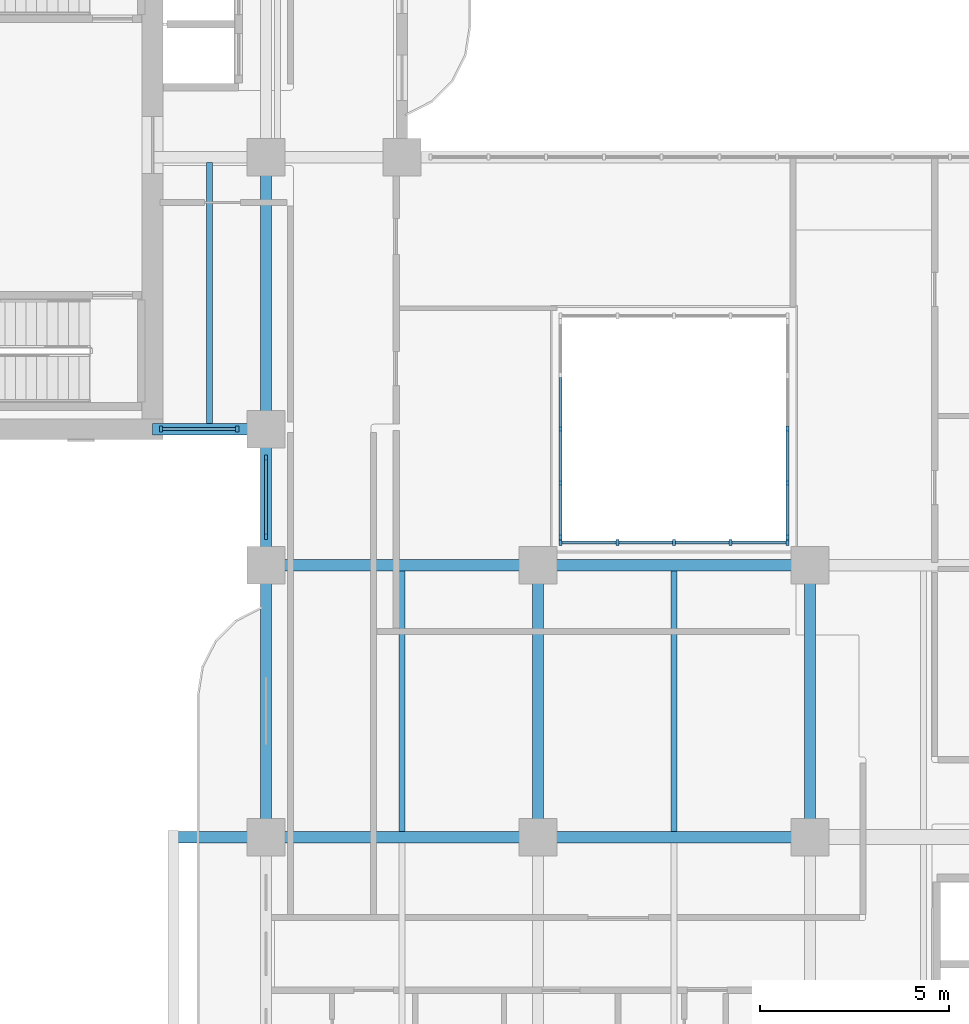
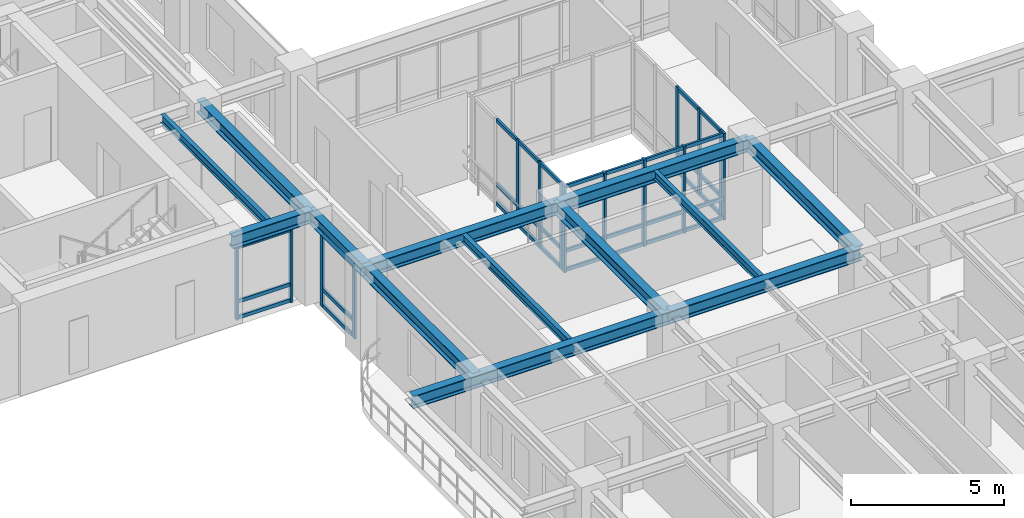
# One storey, part 2 of 20: 48 members, 13 beams, 5 elements without a shape of their own.
"""IFC4 building model written with IfcOpenShell, lengths in metres."""

from ifc_helpers import new_model, si_unit, derived_unit, direction, frame, origin, origin_2d, place, context, subcontext, project, spatial, rectangle, i_section, extrude, source, transform, mapped, material, layer, layer_set, material_profile, profile_set, type_object, type_shapes, element, aggregate, save


model = new_model("IFC4")

# Units and contexts
model_context = context("Model", 3, precision=1e-05, world=origin(), true_north=direction((0.0, 1.0)))
body_context = subcontext(model_context, "Body", "Model", "MODEL_VIEW")
ifc_project = project(units=[si_unit("LENGTHUNIT", "METRE"), si_unit("AREAUNIT", "SQUARE_METRE"), si_unit("VOLUMEUNIT", "CUBIC_METRE"), si_unit("PLANEANGLEUNIT", "RADIAN"), si_unit("MASSUNIT", "GRAM", prefix="KILO"), si_unit("THERMODYNAMICTEMPERATUREUNIT", "KELVIN"), si_unit("POWERUNIT", "WATT"), derived_unit("THERMALTRANSMITTANCEUNIT", [(si_unit("POWERUNIT", "WATT"), 1), (si_unit("AREAUNIT", "SQUARE_METRE"), -1), (si_unit("THERMODYNAMICTEMPERATUREUNIT", "KELVIN"), -1)])], contexts=[model_context])

# Site, building, storey
site_placement = place(None, origin())
site = spatial("IfcSite", under=ifc_project, at=site_placement, CompositionType="ELEMENT")
building_placement = place(site_placement, origin())
building = spatial("IfcBuilding", under=site, at=building_placement, Name="Zahravan Archway Hotel and Residences", CompositionType="ELEMENT")
storey_placement = place(building_placement, frame((0.0, 0.0, 119.199951171875)))
storey = spatial("IfcBuildingStorey", under=building, at=storey_placement, Name="L29", CompositionType="ELEMENT", Elevation=119.199951171875)

# Beams
ifc_material_1 = material(Name="Structural Steel S355JR", Category="steel")
ifc_material_profile_1 = material_profile(ifc_material_1, i_section(OverallWidth=0.300048828125, OverallDepth=0.5, WebThickness=0.014404296875, FlangeThickness=0.028076171875, FilletRadius=0.027099609375, at=origin_2d()), Name="HEB 500", Category="steel")
ifc_profile_set_1 = profile_set([ifc_material_profile_1], Name="Structural Steel S355JR")
beam_type_1 = type_object("IfcBeamType", Name="BM-PRI-HEB500", PredefinedType="BEAM", material=ifc_profile_set_1)
shared_shape_1 = source(origin(), body_context, "Body", "SweptSolid", [
    extrude(i_section(OverallWidth=0.300048828125, OverallDepth=0.5, WebThickness=0.014404296875, FlangeThickness=0.028076171875, FilletRadius=0.027099609375, at=origin_2d()), origin(), (0.0, 0.0, 1.0), 7.2001953125),
])
type_shapes(beam_type_1, [shared_shape_1])
for number, where, z_axis, x_axis, name in (
    (1, (14.39990234375, 21.60009765625, 3.199951171875), (1.0, 0.0, 0.0), (0.0, 1.0, 0.0), "L29 Primary Girder EW-11"),
    (2, (14.39990234375, 14.39990234375, 3.199951171875), (0.0, 1.0, 0.0), (-1.0, 0.0, 0.0), "L29 Primary Girder NS-30"),
    (3, (21.60009765625, 14.39990234375, 3.199951171875), (0.0, 1.0, 0.0), (-1.0, 0.0, 0.0), "L29 Primary Girder NS-37"),
    (4, (28.800048828125, 14.39990234375, 3.199951171875), (0.0, 1.0, 0.0), (-1.0, 0.0, 0.0), "L29 Primary Girder NS-40"),
):
    element("IfcBeam", number, at=place(storey_placement, frame(where, z_axis=z_axis, x_axis=x_axis)), inside=storey, type_object=beam_type_1, Name=name, PredefinedType="BEAM", context=body_context, shape_type="MappedRepresentation", body=[
        mapped(shared_shape_1, transform((0.0, 0.0, 0.0), scale=1.0)),
    ])
shared_shape_2 = source(origin(), body_context, "Body", "SweptSolid", [
    extrude(i_section(OverallWidth=0.300048828125, OverallDepth=0.5, WebThickness=0.014404296875, FlangeThickness=0.028076171875, FilletRadius=0.027099609375, at=origin_2d()), origin(), (0.0, 0.0, 1.0), 7.199951171875),
])
for number, where, z_axis, x_axis, name in (
    (5, (21.60009765625, 14.39990234375, 3.199951171875), (1.0, 0.0, 0.0), (0.0, 1.0, 0.0), "L29 Primary Girder EW-10"),
    (6, (21.60009765625, 21.60009765625, 3.199951171875), (1.0, 0.0, 0.0), (0.0, 1.0, 0.0), "L29 Primary Girder EW-12"),
    (7, (14.39990234375, 25.199951171875, 3.199951171875), (0.0, 1.0, 0.0), (-1.0, 0.0, 0.0), "L29 Primary Girder NS-32"),
):
    element("IfcBeam", number, at=place(storey_placement, frame(where, z_axis=z_axis, x_axis=x_axis)), inside=storey, type_object=beam_type_1, Name=name, PredefinedType="BEAM", context=body_context, shape_type="MappedRepresentation", body=[
        mapped(shared_shape_2, transform((0.0, 0.0, 0.0), scale=1.0)),
    ])
shared_shape_3 = source(origin(), body_context, "Body", "SweptSolid", [
    extrude(i_section(OverallWidth=0.300048828125, OverallDepth=0.5, WebThickness=0.014404296875, FlangeThickness=0.028076171875, FilletRadius=0.027099609375, at=origin_2d()), origin(), (0.0, 0.0, 1.0), 9.650146484375),
])
beam_1_placement = place(storey_placement, frame((11.949951171875, 14.39990234375, 3.199951171875), z_axis=(1.0, 0.0, 0.0), x_axis=(0.0, 1.0, 0.0)))
element("IfcBeam", 8, at=beam_1_placement, inside=storey, type_object=beam_type_1, Name="L29 Primary Girder EW-09", PredefinedType="BEAM", context=body_context, shape_type="MappedRepresentation", body=[
    mapped(shared_shape_3, transform((0.0, 0.0, 0.0), scale=1.0)),
])
shared_shape_4 = source(origin(), body_context, "Body", "SweptSolid", [
    extrude(i_section(OverallWidth=0.300048828125, OverallDepth=0.5, WebThickness=0.014404296875, FlangeThickness=0.028076171875, FilletRadius=0.027099609375, at=origin_2d()), origin(), (0.0, 0.0, 1.0), 3.0),
])
beam_2_placement = place(storey_placement, frame((11.39990234375, 25.199951171875, 3.199951171875), z_axis=(1.0, 0.0, 0.0), x_axis=(0.0, 1.0, 0.0)))
element("IfcBeam", 9, at=beam_2_placement, inside=storey, type_object=beam_type_1, Name="L29 Primary Girder EW-16", PredefinedType="BEAM", context=body_context, shape_type="MappedRepresentation", body=[
    mapped(shared_shape_4, transform((0.0, 0.0, 0.0), scale=1.0)),
])
shared_shape_5 = source(origin(), body_context, "Body", "SweptSolid", [
    extrude(i_section(OverallWidth=0.300048828125, OverallDepth=0.5, WebThickness=0.014404296875, FlangeThickness=0.028076171875, FilletRadius=0.027099609375, at=origin_2d()), origin(), (0.0, 0.0, 1.0), 3.599853515625),
])
beam_3_placement = place(storey_placement, frame((14.39990234375, 21.60009765625, 3.199951171875), z_axis=(0.0, 1.0, 0.0), x_axis=(-1.0, 0.0, 0.0)))
element("IfcBeam", 10, at=beam_3_placement, inside=storey, type_object=beam_type_1, Name="L29 Primary Girder NS-31", PredefinedType="BEAM", context=body_context, shape_type="MappedRepresentation", body=[
    mapped(shared_shape_5, transform((0.0, 0.0, 0.0), scale=1.0)),
])
ifc_material_profile_2 = material_profile(ifc_material_1, i_section(OverallWidth=0.159912109375, OverallDepth=0.330078125, WebThickness=0.007568359375, FlangeThickness=0.011474609375, FilletRadius=0.01806640625, at=origin_2d()), Name="IPE 330", Category="steel")
ifc_profile_set_2 = profile_set([ifc_material_profile_2], Name="Structural Steel S355JR")
beam_type_2 = type_object("IfcBeamType", Name="BM-JST-IPE330", PredefinedType="JOIST", material=ifc_profile_set_2)
shared_shape_6 = source(origin(), body_context, "Body", "SweptSolid", [
    extrude(i_section(OverallWidth=0.159912109375, OverallDepth=0.330078125, WebThickness=0.007568359375, FlangeThickness=0.011474609375, FilletRadius=0.01806640625, at=origin_2d()), origin(), (0.0, 0.0, 1.0), 6.904052734375),
])
type_shapes(beam_type_2, [shared_shape_6])
beam_4_placement = place(storey_placement, frame((12.89990234375, 25.347900390625, 3.28515625), z_axis=(0.0, 1.0, 0.0), x_axis=(-1.0, 0.0, 0.0)))
element("IfcBeam", 11, at=beam_4_placement, inside=storey, type_object=beam_type_2, Name="L29 Composite Floor Joist 10", PredefinedType="JOIST", context=body_context, shape_type="MappedRepresentation", body=[
    mapped(shared_shape_6, transform((0.0, 0.0, 0.0), scale=1.0)),
])
shared_shape_7 = source(origin(), body_context, "Body", "SweptSolid", [
    extrude(i_section(OverallWidth=0.159912109375, OverallDepth=0.330078125, WebThickness=0.007568359375, FlangeThickness=0.011474609375, FilletRadius=0.01806640625, at=origin_2d()), origin(), (0.0, 0.0, 1.0), 6.90380859375),
])
for number, where, z_axis, x_axis, name in (
    (12, (18.0, 14.548095703125, 3.28515625), (0.0, 1.0, 0.0), (-1.0, 0.0, 0.0), "L29 Composite Floor Joist 08"),
    (13, (25.199951171875, 14.548095703125, 3.28515625), (0.0, 1.0, 0.0), (-1.0, 0.0, 0.0), "L29 Composite Floor Joist 09"),
):
    element("IfcBeam", number, at=place(storey_placement, frame(where, z_axis=z_axis, x_axis=x_axis)), inside=storey, type_object=beam_type_2, Name=name, PredefinedType="JOIST", context=body_context, shape_type="MappedRepresentation", body=[
        mapped(shared_shape_7, transform((0.0, 0.0, 0.0), scale=1.0)),
    ])

# Curtain wall, members
ifc_material_2 = material(Name="Bronze-Anodized Unitised Aluminium & Low-E Glass", Category="aluminium")
ifc_layer = layer(ifc_material_2, 0.179931640625, Name="Bronze-Anodized Unitised Aluminium & Low-E Glass", Category="aluminium")
ifc_layer_set = layer_set([ifc_layer], Name="Bronze-Anodized Unitised Aluminium & Low-E Glass")
curtain_wall_type = type_object("IfcCurtainWallType", Name="CW-ATR-GLAZ", PredefinedType="NOTDEFINED", material=ifc_layer_set)
curtain_wall_1_placement = place(storey_placement, origin())
curtain_wall_1 = element("IfcCurtainWall", 14, at=curtain_wall_1_placement, inside=storey, type_object=curtain_wall_type, Name="L29 Curtain Wall CW-L29-WB-SE-1", PredefinedType="NOTDEFINED")
ifc_material_3 = material(Name="Bronze-Anodized Extruded Aluminium", Category="aluminium")
ifc_material_profile_3 = material_profile(ifc_material_3, rectangle(XDim=0.080078125, YDim=0.139892578125, at=origin_2d()), Name="TRN 80x140", Category="aluminium")
ifc_profile_set_3 = profile_set([ifc_material_profile_3], Name="Bronze-Anodized Extruded Aluminium")
member_type_1 = type_object("IfcMemberType", Name="CWM-TRN-140", PredefinedType="USERDEFINED", material=ifc_profile_set_3)
shared_shape_8 = source(origin(), body_context, "Body", "SweptSolid", [
    extrude(rectangle(XDim=0.080078125, YDim=0.139892578125, at=origin_2d()), origin(), (0.0, 0.0, 1.0), 1.940185546875),
])
member_1_placement = place(storey_placement, frame((11.659912109375, 25.199951171875, 0.070068359375), z_axis=(1.0, 0.0, 0.0), x_axis=(0.0, 1.0, 0.0)))
member_1 = element("IfcMember", 15, at=member_1_placement, type_object=member_type_1, Name="CW-L29-WB-SE-1 Transom 0-1", ObjectType="TRANSOM", PredefinedType="USERDEFINED", context=body_context, shape_type="MappedRepresentation", body=[
    mapped(shared_shape_8, transform((0.0, 0.0, 0.0), scale=1.0)),
])
member_2_placement = place(storey_placement, frame((11.659912109375, 25.199951171875, 0.704345703125), z_axis=(1.0, 0.0, 0.0), x_axis=(0.0, 1.0, 0.0)))
member_2 = element("IfcMember", 16, at=member_2_placement, type_object=member_type_1, Name="CW-L29-WB-SE-1 Transom 0-2", ObjectType="TRANSOM", PredefinedType="USERDEFINED", context=body_context, shape_type="MappedRepresentation", body=[
    mapped(shared_shape_8, transform((0.0, 0.0, 0.0), scale=1.0)),
])
member_3_placement = place(storey_placement, frame((11.659912109375, 25.199951171875, 2.864990234375), z_axis=(1.0, 0.0, 0.0), x_axis=(0.0, 1.0, 0.0)))
member_3 = element("IfcMember", 17, at=member_3_placement, type_object=member_type_1, Name="CW-L29-WB-SE-1 Transom 0-3", ObjectType="TRANSOM", PredefinedType="USERDEFINED", context=body_context, shape_type="MappedRepresentation", body=[
    mapped(shared_shape_8, transform((0.0, 0.0, 0.0), scale=1.0)),
])

curtain_wall_2_placement = place(storey_placement, origin())
curtain_wall_2 = element("IfcCurtainWall", 18, at=curtain_wall_2_placement, inside=storey, type_object=curtain_wall_type, Name="L29 Curtain Wall CW-L29-WA-WLU-1", PredefinedType="NOTDEFINED")
shared_shape_9 = source(origin(), body_context, "Body", "SweptSolid", [
    extrude(rectangle(XDim=0.080078125, YDim=0.139892578125, at=origin_2d()), origin(), (0.0, 0.0, 1.0), 2.0),
])
member_4_placement = place(storey_placement, frame((14.39990234375, 22.39990234375, 0.070068359375), z_axis=(0.0, 1.0, 0.0), x_axis=(-1.0, 0.0, 0.0)))
member_4 = element("IfcMember", 19, at=member_4_placement, type_object=member_type_1, Name="CW-L29-WA-WLU-1 Transom 0-1", ObjectType="TRANSOM", PredefinedType="USERDEFINED", context=body_context, shape_type="MappedRepresentation", body=[
    mapped(shared_shape_9, transform((0.0, 0.0, 0.0), scale=1.0)),
])
member_5_placement = place(storey_placement, frame((14.39990234375, 22.39990234375, 0.704345703125), z_axis=(0.0, 1.0, 0.0), x_axis=(-1.0, 0.0, 0.0)))
member_5 = element("IfcMember", 20, at=member_5_placement, type_object=member_type_1, Name="CW-L29-WA-WLU-1 Transom 0-2", ObjectType="TRANSOM", PredefinedType="USERDEFINED", context=body_context, shape_type="MappedRepresentation", body=[
    mapped(shared_shape_9, transform((0.0, 0.0, 0.0), scale=1.0)),
])
member_6_placement = place(storey_placement, frame((14.39990234375, 22.39990234375, 2.864990234375), z_axis=(0.0, 1.0, 0.0), x_axis=(-1.0, 0.0, 0.0)))
member_6 = element("IfcMember", 21, at=member_6_placement, type_object=member_type_1, Name="CW-L29-WA-WLU-1 Transom 0-3", ObjectType="TRANSOM", PredefinedType="USERDEFINED", context=body_context, shape_type="MappedRepresentation", body=[
    mapped(shared_shape_9, transform((0.0, 0.0, 0.0), scale=1.0)),
])

curtain_wall_3_placement = place(storey_placement, origin())
curtain_wall_3 = element("IfcCurtainWall", 22, at=curtain_wall_3_placement, inside=storey, type_object=curtain_wall_type, Name="L29 Curtain Wall CW-ATR-L29-S-1", PredefinedType="NOTDEFINED")
ifc_material_profile_4 = material_profile(ifc_material_3, rectangle(XDim=0.080078125, YDim=0.159912109375, at=origin_2d()), Name="MUL 80x160", Category="aluminium")
ifc_profile_set_4 = profile_set([ifc_material_profile_4], Name="Bronze-Anodized Extruded Aluminium")
member_type_2 = type_object("IfcMemberType", Name="CWM-MUL-160", PredefinedType="MULLION", material=ifc_profile_set_4)
shared_shape_10 = source(origin(), body_context, "Body", "SweptSolid", [
    extrude(rectangle(XDim=0.080078125, YDim=0.159912109375, at=origin_2d()), origin(), (0.0, 0.0, 1.0), 3.449951171875),
])
member_7_placement = place(storey_placement, frame((22.199951171875, 22.199951171875, 0.0), z_axis=(0.0, 0.0, 1.0), x_axis=(1.0, 0.0, 0.0)))
member_7 = element("IfcMember", 23, at=member_7_placement, type_object=member_type_2, Name="CW-ATR-L29-S-1 Mullion 0", PredefinedType="MULLION", context=body_context, shape_type="MappedRepresentation", body=[
    mapped(shared_shape_10, transform((0.0, 0.0, 0.0), scale=1.0)),
])
member_8_placement = place(storey_placement, frame((23.699951171875, 22.199951171875, 0.0), z_axis=(0.0, 0.0, 1.0), x_axis=(1.0, 0.0, 0.0)))
member_8 = element("IfcMember", 24, at=member_8_placement, type_object=member_type_2, Name="CW-ATR-L29-S-1 Mullion 1", PredefinedType="MULLION", context=body_context, shape_type="MappedRepresentation", body=[
    mapped(shared_shape_10, transform((0.0, 0.0, 0.0), scale=1.0)),
])
member_9_placement = place(storey_placement, frame((25.199951171875, 22.199951171875, 0.0), z_axis=(0.0, 0.0, 1.0), x_axis=(1.0, 0.0, 0.0)))
member_9 = element("IfcMember", 25, at=member_9_placement, type_object=member_type_2, Name="CW-ATR-L29-S-1 Mullion 2", PredefinedType="MULLION", context=body_context, shape_type="MappedRepresentation", body=[
    mapped(shared_shape_10, transform((0.0, 0.0, 0.0), scale=1.0)),
])
member_10_placement = place(storey_placement, frame((26.699951171875, 22.199951171875, 0.0), z_axis=(0.0, 0.0, 1.0), x_axis=(1.0, 0.0, 0.0)))
member_10 = element("IfcMember", 26, at=member_10_placement, type_object=member_type_2, Name="CW-ATR-L29-S-1 Mullion 3", PredefinedType="MULLION", context=body_context, shape_type="MappedRepresentation", body=[
    mapped(shared_shape_10, transform((0.0, 0.0, 0.0), scale=1.0)),
])
member_11_placement = place(storey_placement, frame((28.199951171875, 22.199951171875, 0.0), z_axis=(0.0, 0.0, 1.0), x_axis=(1.0, 0.0, 0.0)))
member_11 = element("IfcMember", 27, at=member_11_placement, type_object=member_type_2, Name="CW-ATR-L29-S-1 Mullion 4", PredefinedType="MULLION", context=body_context, shape_type="MappedRepresentation", body=[
    mapped(shared_shape_10, transform((0.0, 0.0, 0.0), scale=1.0)),
])

curtain_wall_4_placement = place(storey_placement, origin())
curtain_wall_4 = element("IfcCurtainWall", 28, at=curtain_wall_4_placement, inside=storey, type_object=curtain_wall_type, Name="L29 Curtain Wall CW-ATR-L29-W-1", PredefinedType="NOTDEFINED")
member_12_placement = place(storey_placement, frame((22.199951171875, 22.35009765625, 0.0), z_axis=(0.0, 0.0, 1.0), x_axis=(1.0, 0.0, 0.0)))
member_12 = element("IfcMember", 29, at=member_12_placement, type_object=member_type_2, Name="CW-ATR-L29-W-1 Mullion 0", PredefinedType="MULLION", context=body_context, shape_type="MappedRepresentation", body=[
    mapped(shared_shape_10, transform((0.0, 0.0, 0.0), scale=1.0)),
])
member_13_placement = place(storey_placement, frame((22.199951171875, 23.77490234375, 0.0), z_axis=(0.0, 0.0, 1.0), x_axis=(1.0, 0.0, 0.0)))
member_13 = element("IfcMember", 30, at=member_13_placement, type_object=member_type_2, Name="CW-ATR-L29-W-1 Mullion 1", PredefinedType="MULLION", context=body_context, shape_type="MappedRepresentation", body=[
    mapped(shared_shape_10, transform((0.0, 0.0, 0.0), scale=1.0)),
])
member_14_placement = place(storey_placement, frame((22.199951171875, 25.199951171875, 0.0), z_axis=(0.0, 0.0, 1.0), x_axis=(1.0, 0.0, 0.0)))
member_14 = element("IfcMember", 31, at=member_14_placement, type_object=member_type_2, Name="CW-ATR-L29-W-1 Mullion 2", PredefinedType="MULLION", context=body_context, shape_type="MappedRepresentation", body=[
    mapped(shared_shape_10, transform((0.0, 0.0, 0.0), scale=1.0)),
])

curtain_wall_5_placement = place(storey_placement, origin())
curtain_wall_5 = element("IfcCurtainWall", 32, at=curtain_wall_5_placement, inside=storey, type_object=curtain_wall_type, Name="L29 Curtain Wall CW-ATR-L29-E-1", PredefinedType="NOTDEFINED")
member_15_placement = place(storey_placement, frame((28.199951171875, 22.35009765625, 0.0), z_axis=(0.0, 0.0, 1.0), x_axis=(1.0, 0.0, 0.0)))
member_15 = element("IfcMember", 33, at=member_15_placement, type_object=member_type_2, Name="CW-ATR-L29-E-1 Mullion 0", PredefinedType="MULLION", context=body_context, shape_type="MappedRepresentation", body=[
    mapped(shared_shape_10, transform((0.0, 0.0, 0.0), scale=1.0)),
])
member_16_placement = place(storey_placement, frame((28.199951171875, 23.77490234375, 0.0), z_axis=(0.0, 0.0, 1.0), x_axis=(1.0, 0.0, 0.0)))
member_16 = element("IfcMember", 34, at=member_16_placement, type_object=member_type_2, Name="CW-ATR-L29-E-1 Mullion 1", PredefinedType="MULLION", context=body_context, shape_type="MappedRepresentation", body=[
    mapped(shared_shape_10, transform((0.0, 0.0, 0.0), scale=1.0)),
])
member_17_placement = place(storey_placement, frame((28.199951171875, 25.199951171875, 0.0), z_axis=(0.0, 0.0, 1.0), x_axis=(1.0, 0.0, 0.0)))
member_17 = element("IfcMember", 35, at=member_17_placement, type_object=member_type_2, Name="CW-ATR-L29-E-1 Mullion 2", PredefinedType="MULLION", context=body_context, shape_type="MappedRepresentation", body=[
    mapped(shared_shape_10, transform((0.0, 0.0, 0.0), scale=1.0)),
])

# Member
shared_shape_11 = source(origin(), body_context, "Body", "SweptSolid", [
    extrude(rectangle(XDim=0.080078125, YDim=0.139892578125, at=origin_2d()), origin(), (0.0, 0.0, 1.0), 1.419921875),
])
member_18_placement = place(storey_placement, frame((22.239990234375, 22.199951171875, 0.070068359375), z_axis=(1.0, 0.0, 0.0), x_axis=(0.0, 1.0, 0.0)))
member_18 = element("IfcMember", 36, at=member_18_placement, type_object=member_type_1, Name="CW-ATR-L29-S-1 Transom 0-1", ObjectType="TRANSOM", PredefinedType="USERDEFINED", context=body_context, shape_type="MappedRepresentation", body=[
    mapped(shared_shape_11, transform((0.0, 0.0, 0.0), scale=1.0)),
])

member_19_placement = place(storey_placement, frame((22.239990234375, 22.199951171875, 0.828125), z_axis=(1.0, 0.0, 0.0), x_axis=(0.0, 1.0, 0.0)))
member_19 = element("IfcMember", 37, at=member_19_placement, type_object=member_type_1, Name="CW-ATR-L29-S-1 Transom 0-2", ObjectType="TRANSOM", PredefinedType="USERDEFINED", context=body_context, shape_type="MappedRepresentation", body=[
    mapped(shared_shape_11, transform((0.0, 0.0, 0.0), scale=1.0)),
])

member_20_placement = place(storey_placement, frame((22.239990234375, 22.199951171875, 3.380126953125), z_axis=(1.0, 0.0, 0.0), x_axis=(0.0, 1.0, 0.0)))
member_20 = element("IfcMember", 38, at=member_20_placement, type_object=member_type_1, Name="CW-ATR-L29-S-1 Transom 0-3", ObjectType="TRANSOM", PredefinedType="USERDEFINED", context=body_context, shape_type="MappedRepresentation", body=[
    mapped(shared_shape_11, transform((0.0, 0.0, 0.0), scale=1.0)),
])

member_21_placement = place(storey_placement, frame((23.739990234375, 22.199951171875, 0.070068359375), z_axis=(1.0, 0.0, 0.0), x_axis=(0.0, 1.0, 0.0)))
member_21 = element("IfcMember", 39, at=member_21_placement, type_object=member_type_1, Name="CW-ATR-L29-S-1 Transom 1-1", ObjectType="TRANSOM", PredefinedType="USERDEFINED", context=body_context, shape_type="MappedRepresentation", body=[
    mapped(shared_shape_11, transform((0.0, 0.0, 0.0), scale=1.0)),
])

member_22_placement = place(storey_placement, frame((23.739990234375, 22.199951171875, 0.828125), z_axis=(1.0, 0.0, 0.0), x_axis=(0.0, 1.0, 0.0)))
member_22 = element("IfcMember", 40, at=member_22_placement, type_object=member_type_1, Name="CW-ATR-L29-S-1 Transom 1-2", ObjectType="TRANSOM", PredefinedType="USERDEFINED", context=body_context, shape_type="MappedRepresentation", body=[
    mapped(shared_shape_11, transform((0.0, 0.0, 0.0), scale=1.0)),
])

member_23_placement = place(storey_placement, frame((23.739990234375, 22.199951171875, 3.380126953125), z_axis=(1.0, 0.0, 0.0), x_axis=(0.0, 1.0, 0.0)))
member_23 = element("IfcMember", 41, at=member_23_placement, type_object=member_type_1, Name="CW-ATR-L29-S-1 Transom 1-3", ObjectType="TRANSOM", PredefinedType="USERDEFINED", context=body_context, shape_type="MappedRepresentation", body=[
    mapped(shared_shape_11, transform((0.0, 0.0, 0.0), scale=1.0)),
])

member_24_placement = place(storey_placement, frame((25.239990234375, 22.199951171875, 0.070068359375), z_axis=(1.0, 0.0, 0.0), x_axis=(0.0, 1.0, 0.0)))
member_24 = element("IfcMember", 42, at=member_24_placement, type_object=member_type_1, Name="CW-ATR-L29-S-1 Transom 2-1", ObjectType="TRANSOM", PredefinedType="USERDEFINED", context=body_context, shape_type="MappedRepresentation", body=[
    mapped(shared_shape_11, transform((0.0, 0.0, 0.0), scale=1.0)),
])

member_25_placement = place(storey_placement, frame((25.239990234375, 22.199951171875, 0.828125), z_axis=(1.0, 0.0, 0.0), x_axis=(0.0, 1.0, 0.0)))
member_25 = element("IfcMember", 43, at=member_25_placement, type_object=member_type_1, Name="CW-ATR-L29-S-1 Transom 2-2", ObjectType="TRANSOM", PredefinedType="USERDEFINED", context=body_context, shape_type="MappedRepresentation", body=[
    mapped(shared_shape_11, transform((0.0, 0.0, 0.0), scale=1.0)),
])

member_26_placement = place(storey_placement, frame((25.239990234375, 22.199951171875, 3.380126953125), z_axis=(1.0, 0.0, 0.0), x_axis=(0.0, 1.0, 0.0)))
member_26 = element("IfcMember", 44, at=member_26_placement, type_object=member_type_1, Name="CW-ATR-L29-S-1 Transom 2-3", ObjectType="TRANSOM", PredefinedType="USERDEFINED", context=body_context, shape_type="MappedRepresentation", body=[
    mapped(shared_shape_11, transform((0.0, 0.0, 0.0), scale=1.0)),
])

member_27_placement = place(storey_placement, frame((26.739990234375, 22.199951171875, 0.070068359375), z_axis=(1.0, 0.0, 0.0), x_axis=(0.0, 1.0, 0.0)))
member_27 = element("IfcMember", 45, at=member_27_placement, type_object=member_type_1, Name="CW-ATR-L29-S-1 Transom 3-1", ObjectType="TRANSOM", PredefinedType="USERDEFINED", context=body_context, shape_type="MappedRepresentation", body=[
    mapped(shared_shape_11, transform((0.0, 0.0, 0.0), scale=1.0)),
])

member_28_placement = place(storey_placement, frame((26.739990234375, 22.199951171875, 0.828125), z_axis=(1.0, 0.0, 0.0), x_axis=(0.0, 1.0, 0.0)))
member_28 = element("IfcMember", 46, at=member_28_placement, type_object=member_type_1, Name="CW-ATR-L29-S-1 Transom 3-2", ObjectType="TRANSOM", PredefinedType="USERDEFINED", context=body_context, shape_type="MappedRepresentation", body=[
    mapped(shared_shape_11, transform((0.0, 0.0, 0.0), scale=1.0)),
])

member_29_placement = place(storey_placement, frame((26.739990234375, 22.199951171875, 3.380126953125), z_axis=(1.0, 0.0, 0.0), x_axis=(0.0, 1.0, 0.0)))
member_29 = element("IfcMember", 47, at=member_29_placement, type_object=member_type_1, Name="CW-ATR-L29-S-1 Transom 3-3", ObjectType="TRANSOM", PredefinedType="USERDEFINED", context=body_context, shape_type="MappedRepresentation", body=[
    mapped(shared_shape_11, transform((0.0, 0.0, 0.0), scale=1.0)),
])

aggregate(curtain_wall_3, [member_7, member_8, member_9, member_10, member_11, member_18, member_19, member_20, member_21, member_22, member_23, member_24, member_25, member_26, member_27, member_28, member_29])

shared_shape_12 = source(origin(), body_context, "Body", "SweptSolid", [
    extrude(rectangle(XDim=0.080078125, YDim=0.139892578125, at=origin_2d()), origin(), (0.0, 0.0, 1.0), 1.34521484375),
])
member_30_placement = place(storey_placement, frame((22.199951171875, 22.389892578125, 0.070068359375), z_axis=(0.0, 1.0, 0.0), x_axis=(-1.0, 0.0, 0.0)))
member_30 = element("IfcMember", 48, at=member_30_placement, type_object=member_type_1, Name="CW-ATR-L29-W-1 Transom 0-1", ObjectType="TRANSOM", PredefinedType="USERDEFINED", context=body_context, shape_type="MappedRepresentation", body=[
    mapped(shared_shape_12, transform((0.0, 0.0, 0.0), scale=1.0)),
])

member_31_placement = place(storey_placement, frame((22.199951171875, 22.389892578125, 0.828125), z_axis=(0.0, 1.0, 0.0), x_axis=(-1.0, 0.0, 0.0)))
member_31 = element("IfcMember", 49, at=member_31_placement, type_object=member_type_1, Name="CW-ATR-L29-W-1 Transom 0-2", ObjectType="TRANSOM", PredefinedType="USERDEFINED", context=body_context, shape_type="MappedRepresentation", body=[
    mapped(shared_shape_12, transform((0.0, 0.0, 0.0), scale=1.0)),
])

member_32_placement = place(storey_placement, frame((22.199951171875, 22.389892578125, 3.380126953125), z_axis=(0.0, 1.0, 0.0), x_axis=(-1.0, 0.0, 0.0)))
member_32 = element("IfcMember", 50, at=member_32_placement, type_object=member_type_1, Name="CW-ATR-L29-W-1 Transom 0-3", ObjectType="TRANSOM", PredefinedType="USERDEFINED", context=body_context, shape_type="MappedRepresentation", body=[
    mapped(shared_shape_12, transform((0.0, 0.0, 0.0), scale=1.0)),
])

member_33_placement = place(storey_placement, frame((28.199951171875, 22.389892578125, 0.070068359375), z_axis=(0.0, 1.0, 0.0), x_axis=(-1.0, 0.0, 0.0)))
member_33 = element("IfcMember", 51, at=member_33_placement, type_object=member_type_1, Name="CW-ATR-L29-E-1 Transom 0-1", ObjectType="TRANSOM", PredefinedType="USERDEFINED", context=body_context, shape_type="MappedRepresentation", body=[
    mapped(shared_shape_12, transform((0.0, 0.0, 0.0), scale=1.0)),
])

member_34_placement = place(storey_placement, frame((28.199951171875, 22.389892578125, 0.828125), z_axis=(0.0, 1.0, 0.0), x_axis=(-1.0, 0.0, 0.0)))
member_34 = element("IfcMember", 52, at=member_34_placement, type_object=member_type_1, Name="CW-ATR-L29-E-1 Transom 0-2", ObjectType="TRANSOM", PredefinedType="USERDEFINED", context=body_context, shape_type="MappedRepresentation", body=[
    mapped(shared_shape_12, transform((0.0, 0.0, 0.0), scale=1.0)),
])

member_35_placement = place(storey_placement, frame((28.199951171875, 22.389892578125, 3.380126953125), z_axis=(0.0, 1.0, 0.0), x_axis=(-1.0, 0.0, 0.0)))
member_35 = element("IfcMember", 53, at=member_35_placement, type_object=member_type_1, Name="CW-ATR-L29-E-1 Transom 0-3", ObjectType="TRANSOM", PredefinedType="USERDEFINED", context=body_context, shape_type="MappedRepresentation", body=[
    mapped(shared_shape_12, transform((0.0, 0.0, 0.0), scale=1.0)),
])

shared_shape_13 = source(origin(), body_context, "Body", "SweptSolid", [
    extrude(rectangle(XDim=0.080078125, YDim=0.139892578125, at=origin_2d()), origin(), (0.0, 0.0, 1.0), 1.344970703125),
])
member_36_placement = place(storey_placement, frame((22.199951171875, 23.81494140625, 0.070068359375), z_axis=(0.0, 1.0, 0.0), x_axis=(-1.0, 0.0, 0.0)))
member_36 = element("IfcMember", 54, at=member_36_placement, type_object=member_type_1, Name="CW-ATR-L29-W-1 Transom 1-1", ObjectType="TRANSOM", PredefinedType="USERDEFINED", context=body_context, shape_type="MappedRepresentation", body=[
    mapped(shared_shape_13, transform((0.0, 0.0, 0.0), scale=1.0)),
])

member_37_placement = place(storey_placement, frame((22.199951171875, 23.81494140625, 0.828125), z_axis=(0.0, 1.0, 0.0), x_axis=(-1.0, 0.0, 0.0)))
member_37 = element("IfcMember", 55, at=member_37_placement, type_object=member_type_1, Name="CW-ATR-L29-W-1 Transom 1-2", ObjectType="TRANSOM", PredefinedType="USERDEFINED", context=body_context, shape_type="MappedRepresentation", body=[
    mapped(shared_shape_13, transform((0.0, 0.0, 0.0), scale=1.0)),
])

member_38_placement = place(storey_placement, frame((22.199951171875, 23.81494140625, 3.380126953125), z_axis=(0.0, 1.0, 0.0), x_axis=(-1.0, 0.0, 0.0)))
member_38 = element("IfcMember", 56, at=member_38_placement, type_object=member_type_1, Name="CW-ATR-L29-W-1 Transom 1-3", ObjectType="TRANSOM", PredefinedType="USERDEFINED", context=body_context, shape_type="MappedRepresentation", body=[
    mapped(shared_shape_13, transform((0.0, 0.0, 0.0), scale=1.0)),
])

member_39_placement = place(storey_placement, frame((22.199951171875, 25.239990234375, 0.070068359375), z_axis=(0.0, 1.0, 0.0), x_axis=(-1.0, 0.0, 0.0)))
member_39 = element("IfcMember", 57, at=member_39_placement, type_object=member_type_1, Name="CW-ATR-L29-W-1 Transom 2-1", ObjectType="TRANSOM", PredefinedType="USERDEFINED", context=body_context, shape_type="MappedRepresentation", body=[
    mapped(shared_shape_13, transform((0.0, 0.0, 0.0), scale=1.0)),
])

member_40_placement = place(storey_placement, frame((22.199951171875, 25.239990234375, 0.828125), z_axis=(0.0, 1.0, 0.0), x_axis=(-1.0, 0.0, 0.0)))
member_40 = element("IfcMember", 58, at=member_40_placement, type_object=member_type_1, Name="CW-ATR-L29-W-1 Transom 2-2", ObjectType="TRANSOM", PredefinedType="USERDEFINED", context=body_context, shape_type="MappedRepresentation", body=[
    mapped(shared_shape_13, transform((0.0, 0.0, 0.0), scale=1.0)),
])

member_41_placement = place(storey_placement, frame((22.199951171875, 25.239990234375, 3.380126953125), z_axis=(0.0, 1.0, 0.0), x_axis=(-1.0, 0.0, 0.0)))
member_41 = element("IfcMember", 59, at=member_41_placement, type_object=member_type_1, Name="CW-ATR-L29-W-1 Transom 2-3", ObjectType="TRANSOM", PredefinedType="USERDEFINED", context=body_context, shape_type="MappedRepresentation", body=[
    mapped(shared_shape_13, transform((0.0, 0.0, 0.0), scale=1.0)),
])

aggregate(curtain_wall_4, [member_12, member_13, member_14, member_30, member_31, member_32, member_36, member_37, member_38, member_39, member_40, member_41])

member_42_placement = place(storey_placement, frame((28.199951171875, 23.81494140625, 0.070068359375), z_axis=(0.0, 1.0, 0.0), x_axis=(-1.0, 0.0, 0.0)))
member_42 = element("IfcMember", 60, at=member_42_placement, type_object=member_type_1, Name="CW-ATR-L29-E-1 Transom 1-1", ObjectType="TRANSOM", PredefinedType="USERDEFINED", context=body_context, shape_type="MappedRepresentation", body=[
    mapped(shared_shape_13, transform((0.0, 0.0, 0.0), scale=1.0)),
])

member_43_placement = place(storey_placement, frame((28.199951171875, 23.81494140625, 0.828125), z_axis=(0.0, 1.0, 0.0), x_axis=(-1.0, 0.0, 0.0)))
member_43 = element("IfcMember", 61, at=member_43_placement, type_object=member_type_1, Name="CW-ATR-L29-E-1 Transom 1-2", ObjectType="TRANSOM", PredefinedType="USERDEFINED", context=body_context, shape_type="MappedRepresentation", body=[
    mapped(shared_shape_13, transform((0.0, 0.0, 0.0), scale=1.0)),
])

member_44_placement = place(storey_placement, frame((28.199951171875, 23.81494140625, 3.380126953125), z_axis=(0.0, 1.0, 0.0), x_axis=(-1.0, 0.0, 0.0)))
member_44 = element("IfcMember", 62, at=member_44_placement, type_object=member_type_1, Name="CW-ATR-L29-E-1 Transom 1-3", ObjectType="TRANSOM", PredefinedType="USERDEFINED", context=body_context, shape_type="MappedRepresentation", body=[
    mapped(shared_shape_13, transform((0.0, 0.0, 0.0), scale=1.0)),
])

aggregate(curtain_wall_5, [member_15, member_16, member_17, member_33, member_34, member_35, member_42, member_43, member_44])

shared_shape_14 = source(origin(), body_context, "Body", "SweptSolid", [
    extrude(rectangle(XDim=0.080078125, YDim=0.159912109375, at=origin_2d()), origin(), (0.0, 0.0, 1.0), 2.93505859375),
])
member_45_placement = place(storey_placement, frame((14.39990234375, 22.360107421875, 0.0), z_axis=(0.0, 0.0, 1.0), x_axis=(1.0, 0.0, 0.0)))
member_45 = element("IfcMember", 63, at=member_45_placement, type_object=member_type_2, Name="CW-L29-WA-WLU-1 Mullion 0", PredefinedType="MULLION", context=body_context, shape_type="MappedRepresentation", body=[
    mapped(shared_shape_14, transform((0.0, 0.0, 0.0), scale=1.0)),
])

member_46_placement = place(storey_placement, frame((14.39990234375, 24.43994140625, 0.0), z_axis=(0.0, 0.0, 1.0), x_axis=(1.0, 0.0, 0.0)))
member_46 = element("IfcMember", 64, at=member_46_placement, type_object=member_type_2, Name="CW-L29-WA-WLU-1 Mullion 1", PredefinedType="MULLION", context=body_context, shape_type="MappedRepresentation", body=[
    mapped(shared_shape_14, transform((0.0, 0.0, 0.0), scale=1.0)),
])

aggregate(curtain_wall_2, [member_45, member_46, member_4, member_5, member_6])

member_47_placement = place(storey_placement, frame((11.6201171875, 25.199951171875, 0.0), z_axis=(0.0, 0.0, 1.0), x_axis=(1.0, 0.0, 0.0)))
member_47 = element("IfcMember", 65, at=member_47_placement, type_object=member_type_2, Name="CW-L29-WB-SE-1 Mullion 0", PredefinedType="MULLION", context=body_context, shape_type="MappedRepresentation", body=[
    mapped(shared_shape_14, transform((0.0, 0.0, 0.0), scale=1.0)),
])

member_48_placement = place(storey_placement, frame((13.639892578125, 25.199951171875, 0.0), z_axis=(0.0, 0.0, 1.0), x_axis=(1.0, 0.0, 0.0)))
member_48 = element("IfcMember", 66, at=member_48_placement, type_object=member_type_2, Name="CW-L29-WB-SE-1 Mullion 1", PredefinedType="MULLION", context=body_context, shape_type="MappedRepresentation", body=[
    mapped(shared_shape_14, transform((0.0, 0.0, 0.0), scale=1.0)),
])

aggregate(curtain_wall_1, [member_47, member_48, member_1, member_2, member_3])

save(model, "model.ifc")
